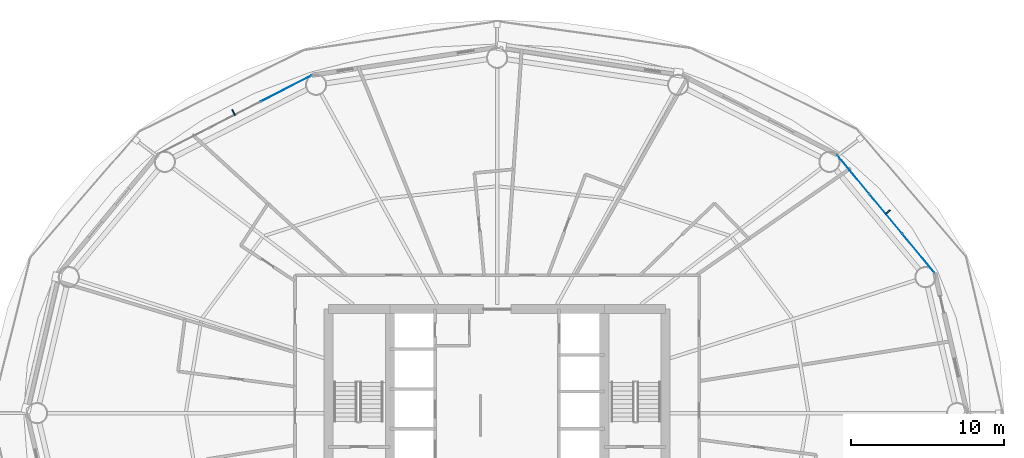
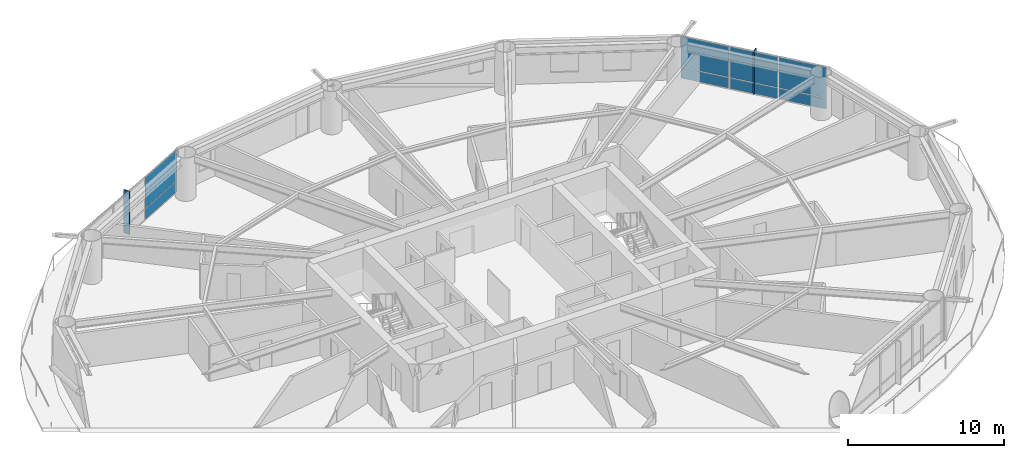
# One storey, part 18 of 26: 10 plates, 2 elements without a shape of their own.
"""IFC4 building model written with IfcOpenShell, lengths in metres."""

from ifc_helpers import new_model, si_unit, direction, frame, origin, origin_2d, place, context, subcontext, project, spatial, rectangle, extrude, material, layer, layer_set, type_object, element, aggregate, save


model = new_model("IFC4")

# Units and contexts
model_context = context("Model", 3, precision=1e-05, world=origin(), true_north=direction((0.0, 1.0)))
body_context = subcontext(model_context, "Body", "Model", "MODEL_VIEW")
ifc_project = project(units=[si_unit("LENGTHUNIT", "METRE"), si_unit("AREAUNIT", "SQUARE_METRE"), si_unit("VOLUMEUNIT", "CUBIC_METRE"), si_unit("PLANEANGLEUNIT", "RADIAN"), si_unit("MASSUNIT", "GRAM", prefix="KILO")], contexts=[model_context])

# Site, building, storey
site_placement = place(None, origin())
site = spatial("IfcSite", under=ifc_project, at=site_placement, CompositionType="ELEMENT")
building_placement = place(site_placement, origin())
building = spatial("IfcBuilding", under=site, at=building_placement, Name="Sarneth Arch Tower", CompositionType="ELEMENT")
storey_placement = place(building_placement, frame((0.0, 0.0, 60.60009765625)))
storey = spatial("IfcBuildingStorey", under=building, at=storey_placement, Name="L14", CompositionType="ELEMENT", Elevation=60.60009765625)

# Curtain wall, plates
ifc_material_1 = material(Name="Anodised aluminium Type AA25 and solar-control low-e laminated IGU", Category="aluminium")
ifc_layer_1 = layer(ifc_material_1, 0.159912109375)
ifc_layer_set_1 = layer_set([ifc_layer_1], Name="Anodised aluminium Type AA25 and solar-control low-e laminated IGU")
curtain_wall_type = type_object("IfcCurtainWallType", Name="CW-HOTEL-LOW", PredefinedType="NOTDEFINED", material=ifc_layer_set_1)
curtain_wall_1_placement = place(storey_placement, origin())
curtain_wall_1 = element("IfcCurtainWall", 1, at=curtain_wall_1_placement, inside=storey, type_object=curtain_wall_type, Name="L14 Unitised curtain wall facet 02", PredefinedType="NOTDEFINED")
ifc_material_2 = material(Name="Solar-control low-e laminated IGU", Category="glass")
ifc_layer_2 = layer(ifc_material_2, 0.028076171875)
ifc_layer_set_2 = layer_set([ifc_layer_2], Name="Solar-control low-e laminated IGU")
plate_type_1 = type_object("IfcPlateType", Name="CW-PANEL", PredefinedType="CURTAIN_PANEL", material=ifc_layer_set_2)
plate_1_placement = place(storey_placement, frame((75.503662109375, 52.441162109375, 0.059814453125), z_axis=(0.0, 0.0, 1.0), x_axis=(-0.637291340827, 0.770622960278, 0.0)))
plate_1 = element("IfcPlate", 2, at=plate_1_placement, type_object=plate_type_1, Name="Curtain wall glazed vision pane CW-L14-F02/P00-00", PredefinedType="CURTAIN_PANEL", context=body_context, shape_type="SweptSolid", body=[
    extrude(rectangle(XDim=3.260986328125, YDim=0.028076171875, at=origin_2d()), origin(), (0.0, 0.0, 1.0), 0.81005859375),
])
plate_2_placement = place(storey_placement, frame((75.503662109375, 52.441162109375, 0.93017578125), z_axis=(0.0, 0.0, 1.0), x_axis=(-0.637291340827, 0.770622960278, 0.0)))
plate_2 = element("IfcPlate", 3, at=plate_2_placement, type_object=plate_type_1, Name="Curtain wall glazed vision pane CW-L14-F02/P00-01", PredefinedType="CURTAIN_PANEL", context=body_context, shape_type="SweptSolid", body=[
    extrude(rectangle(XDim=3.260986328125, YDim=0.028076171875, at=origin_2d()), origin(), (0.0, 0.0, 1.0), 2.389892578125),
])
plate_3_placement = place(storey_placement, frame((73.37744140625, 55.01220703125, 0.059814453125), z_axis=(0.0, 0.0, 1.0), x_axis=(-0.637291340827, 0.770622960278, 0.0)))
plate_3 = element("IfcPlate", 4, at=plate_3_placement, type_object=plate_type_1, Name="Curtain wall glazed vision pane CW-L14-F02/P01-00", PredefinedType="CURTAIN_PANEL", context=body_context, shape_type="SweptSolid", body=[
    extrude(rectangle(XDim=3.291015625, YDim=0.028076171875, at=origin_2d()), origin(), (0.0, 0.0, 1.0), 0.81005859375),
])
plate_4_placement = place(storey_placement, frame((73.37744140625, 55.01220703125, 0.93017578125), z_axis=(0.0, 0.0, 1.0), x_axis=(-0.637291340827, 0.770622960278, 0.0)))
plate_4 = element("IfcPlate", 5, at=plate_4_placement, type_object=plate_type_1, Name="Curtain wall glazed vision pane CW-L14-F02/P01-01", PredefinedType="CURTAIN_PANEL", context=body_context, shape_type="SweptSolid", body=[
    extrude(rectangle(XDim=3.291015625, YDim=0.028076171875, at=origin_2d()), origin(), (0.0, 0.0, 1.0), 2.389892578125),
])
plate_5_placement = place(storey_placement, frame((71.25146484375, 57.5830078125, 0.059814453125), z_axis=(0.0, 0.0, 1.0), x_axis=(-0.637291340827, 0.770622960278, 0.0)))
plate_5 = element("IfcPlate", 6, at=plate_5_placement, type_object=plate_type_1, Name="Curtain wall glazed vision pane CW-L14-F02/P02-00", PredefinedType="CURTAIN_PANEL", context=body_context, shape_type="SweptSolid", body=[
    extrude(rectangle(XDim=3.260986328125, YDim=0.028076171875, at=origin_2d()), origin(), (0.0, 0.0, 1.0), 0.81005859375),
])
plate_6_placement = place(storey_placement, frame((71.25146484375, 57.5830078125, 0.93017578125), z_axis=(0.0, 0.0, 1.0), x_axis=(-0.637291340827, 0.770622960278, 0.0)))
plate_6 = element("IfcPlate", 7, at=plate_6_placement, type_object=plate_type_1, Name="Curtain wall glazed vision pane CW-L14-F02/P02-01", PredefinedType="CURTAIN_PANEL", context=body_context, shape_type="SweptSolid", body=[
    extrude(rectangle(XDim=3.260986328125, YDim=0.028076171875, at=origin_2d()), origin(), (0.0, 0.0, 1.0), 2.389892578125),
])
aggregate(curtain_wall_1, [plate_1, plate_2, plate_3, plate_4, plate_5, plate_6])

curtain_wall_2_placement = place(storey_placement, origin())
curtain_wall_2 = element("IfcCurtainWall", 8, at=curtain_wall_2_placement, inside=storey, type_object=curtain_wall_type, Name="L14 Unitised curtain wall facet 06", PredefinedType="NOTDEFINED")
plate_7_placement = place(storey_placement, frame((34.22607421875, 63.192626953125, 0.059814453125), z_axis=(0.0, 0.0, 1.0), x_axis=(-0.889854100456, -0.456245197127, 0.0)))
plate_7 = element("IfcPlate", 9, at=plate_7_placement, type_object=plate_type_1, Name="Curtain wall glazed vision pane CW-L14-F06/P00-00", PredefinedType="CURTAIN_PANEL", context=body_context, shape_type="SweptSolid", body=[
    extrude(rectangle(XDim=3.69189453125, YDim=0.028076171875, at=origin_2d()), origin(), (0.0, 0.0, 1.0), 0.81005859375),
])
plate_8_placement = place(storey_placement, frame((34.22607421875, 63.192626953125, 0.93017578125), z_axis=(0.0, 0.0, 1.0), x_axis=(-0.889854100456, -0.456245197127, 0.0)))
plate_8 = element("IfcPlate", 10, at=plate_8_placement, type_object=plate_type_1, Name="Curtain wall glazed vision pane CW-L14-F06/P00-01", PredefinedType="CURTAIN_PANEL", context=body_context, shape_type="SweptSolid", body=[
    extrude(rectangle(XDim=3.69189453125, YDim=0.028076171875, at=origin_2d()), origin(), (0.0, 0.0, 1.0), 2.389892578125),
])
aggregate(curtain_wall_2, [plate_7, plate_8])

# Plates
ifc_material_3 = material(Name="Extruded glazed terracotta baguette fin on Aluminium 6063-T6 carrier", Category="masonry")
ifc_layer_3 = layer(ifc_material_3, 0.080078125)
ifc_layer_set_3 = layer_set([ifc_layer_3], Name="Extruded glazed terracotta baguette fin on Aluminium 6063-T6 carrier")
plate_type_2 = type_object("IfcPlateType", Name="SHADE-TERRA-FIN", PredefinedType="SHEET", material=ifc_layer_set_3)
for number, where, z_axis, x_axis, name in (
    (11, (73.508544921875, 55.120361328125, 0.009765625), (0.0, 0.0, 1.0), (0.770624482513, 0.637289500111, 0.0), "L14 Terracotta vertical shading fin 02"),
    (12, (30.79638671875, 61.625244140625, 0.009765625), (0.0, 0.0, 1.0), (-0.4563215909, 0.889814927768, 0.0), "L14 Terracotta vertical shading fin 06"),
):
    element("IfcPlate", number, at=place(storey_placement, frame(where, z_axis=z_axis, x_axis=x_axis)), inside=storey, type_object=plate_type_2, Name=name, PredefinedType="SHEET", context=body_context, shape_type="SweptSolid", body=[
        extrude(rectangle(XDim=0.419921875, YDim=0.080078125, at=origin_2d()), origin(), (0.0, 0.0, 1.0), 3.360107421875),
    ])

save(model, "model.ifc")
